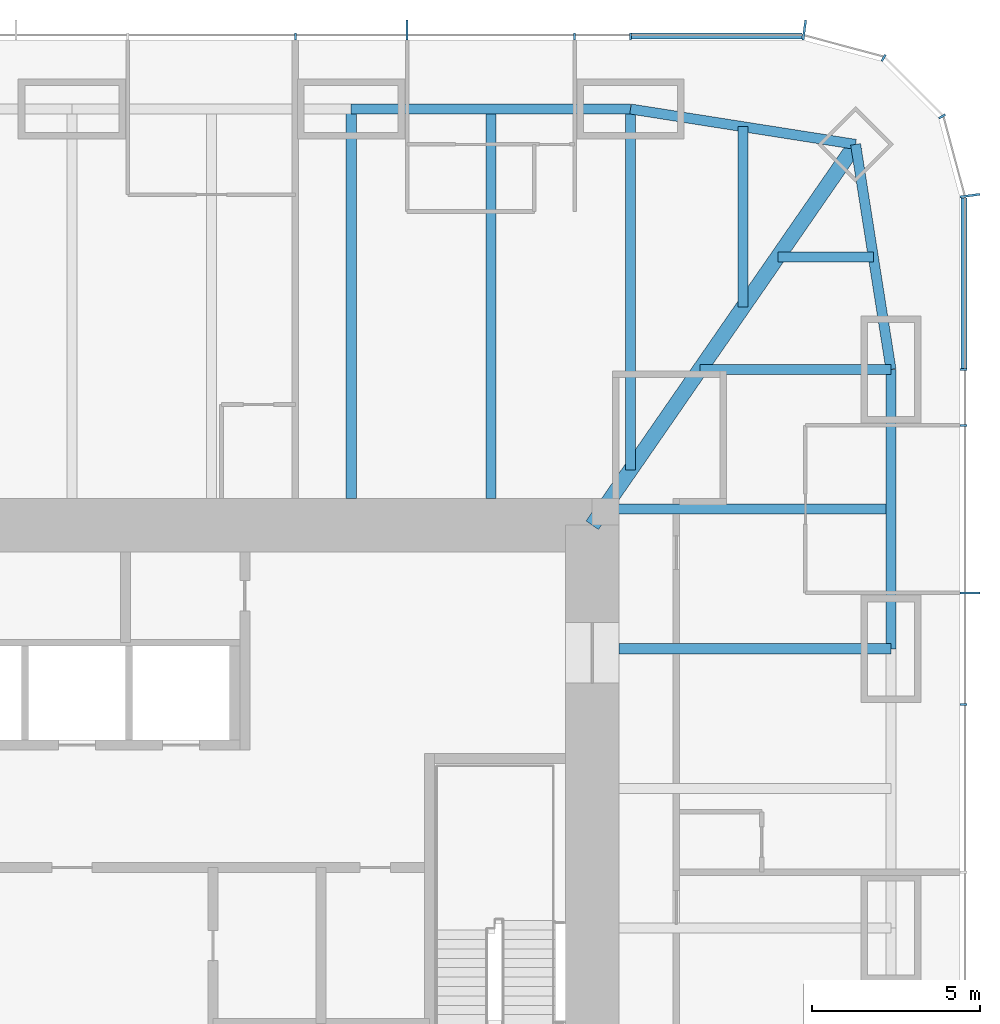
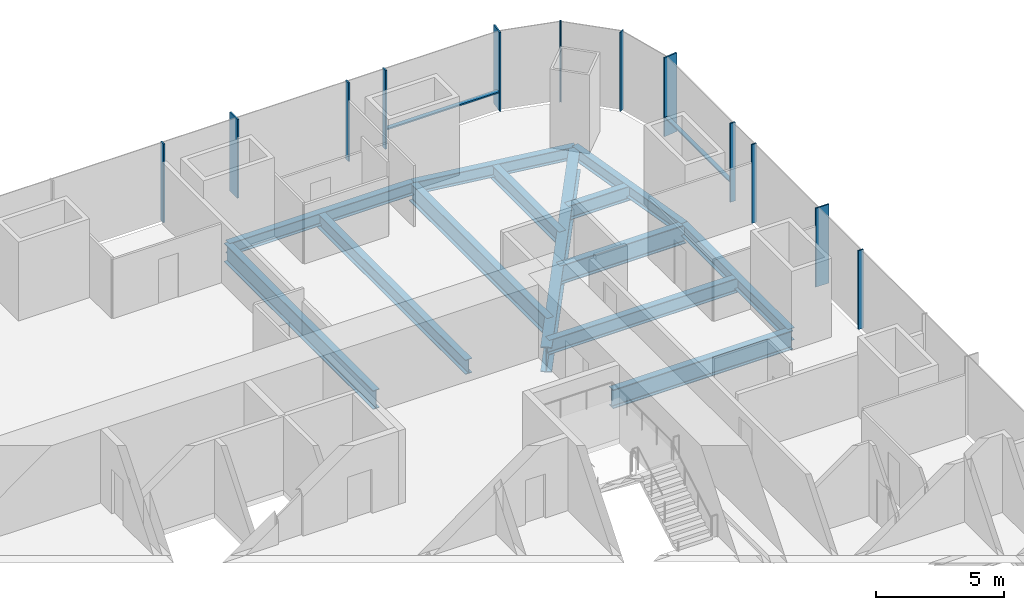
# One storey, part 6 of 12: 14 members, 13 beams, 3 elements without a shape of their own.
"""IFC4 building model written with IfcOpenShell, lengths in metres."""

from ifc_helpers import new_model, si_unit, direction, frame, origin, origin_2d, place, context, subcontext, project, spatial, rectangle, i_section, extrude, material, material_profile, profile_set, type_object, element, aggregate, save


model = new_model("IFC4")

# Units and contexts
model_context = context("Model", 3, precision=1e-05, world=origin(), true_north=direction((0.0, 1.0)))
body_context = subcontext(model_context, "Body", "Model", "MODEL_VIEW")
ifc_project = project(units=[si_unit("LENGTHUNIT", "METRE"), si_unit("AREAUNIT", "SQUARE_METRE"), si_unit("VOLUMEUNIT", "CUBIC_METRE"), si_unit("PLANEANGLEUNIT", "RADIAN"), si_unit("MASSUNIT", "GRAM", prefix="KILO")], contexts=[model_context])

# Site, building, storey
site_placement = place(None, origin())
site = spatial("IfcSite", under=ifc_project, at=site_placement, CompositionType="ELEMENT")
building_placement = place(site_placement, origin())
building = spatial("IfcBuilding", under=site, at=building_placement, Name="Khuree Lantern Residences", CompositionType="ELEMENT")
storey_placement = place(building_placement, frame((0.0, 0.0, 210.75)))
storey = spatial("IfcBuildingStorey", under=building, at=storey_placement, Name="L52", CompositionType="ELEMENT", Elevation=210.75)

# Beams
ifc_material_1 = material(Name="Steel S355", Category="steel")
ifc_material_profile_1 = material_profile(ifc_material_1, i_section(OverallWidth=0.300048828125, OverallDepth=0.68994140625, WebThickness=0.014404296875, FlangeThickness=0.027099609375, FilletRadius=0.027099609375, at=origin_2d()), Name="HE 700 A")
ifc_profile_set_1 = profile_set([ifc_material_profile_1], Name="Steel S355")
beam_type_1 = type_object("IfcBeamType", Name="B-31 SECONDARY BEAM HE 700 A", PredefinedType="BEAM", material=ifc_profile_set_1)
beam_1_placement = place(storey_placement, frame((12.47998046875, 24.39990234375, -0.594970703125), z_axis=(0.0, -1.0, 0.0), x_axis=(1.0, 0.0, 0.0)))
element("IfcBeam", 1, at=beam_1_placement, inside=storey, type_object=beam_type_1, Name="Secondary beam N4", PredefinedType="BEAM", context=body_context, shape_type="SweptSolid", body=[
    extrude(i_section(OverallWidth=0.300048828125, OverallDepth=0.68994140625, WebThickness=0.014404296875, FlangeThickness=0.027099609375, FilletRadius=0.027099609375, at=origin_2d()), origin(), (0.0, 0.0, 1.0), 11.599853515625),
])
beam_2_placement = place(storey_placement, frame((19.992919921875, 23.872802734375, -0.594970703125), z_axis=(0.0, -1.0, 0.0), x_axis=(1.0, 0.0, 0.0)))
element("IfcBeam", 2, at=beam_2_placement, inside=storey, type_object=beam_type_1, Name="Secondary beam N5", PredefinedType="BEAM", context=body_context, shape_type="SweptSolid", body=[
    extrude(i_section(OverallWidth=0.300048828125, OverallDepth=0.68994140625, WebThickness=0.014404296875, FlangeThickness=0.027099609375, FilletRadius=0.027099609375, at=origin_2d()), origin(), (0.0, 0.0, 1.0), 5.375732421875),
])
beam_3_placement = place(storey_placement, frame((23.872802734375, 19.992919921875, -0.594970703125), z_axis=(-1.0, 0.0, 0.0), x_axis=(0.0, -1.0, 0.0)))
element("IfcBeam", 3, at=beam_3_placement, inside=storey, type_object=beam_type_1, Name="Secondary beam E1", PredefinedType="BEAM", context=body_context, shape_type="SweptSolid", body=[
    extrude(i_section(OverallWidth=0.300048828125, OverallDepth=0.68994140625, WebThickness=0.014404296875, FlangeThickness=0.027099609375, FilletRadius=0.027099609375, at=origin_2d()), origin(), (0.0, 0.0, 1.0), 2.845703125),
])
beam_4_placement = place(storey_placement, frame((24.39990234375, 12.47998046875, -0.594970703125), z_axis=(-1.0, 0.0, 0.0), x_axis=(0.0, -1.0, 0.0)))
element("IfcBeam", 4, at=beam_4_placement, inside=storey, type_object=beam_type_1, Name="Secondary beam E2", PredefinedType="BEAM", context=body_context, shape_type="SweptSolid", body=[
    extrude(i_section(OverallWidth=0.300048828125, OverallDepth=0.68994140625, WebThickness=0.014404296875, FlangeThickness=0.027099609375, FilletRadius=0.027099609375, at=origin_2d()), origin(), (0.0, 0.0, 1.0), 8.56787109375),
])
ifc_material_profile_2 = material_profile(ifc_material_1, i_section(OverallWidth=0.300048828125, OverallDepth=0.590087890625, WebThickness=0.012939453125, FlangeThickness=0.02490234375, FilletRadius=0.027099609375, at=origin_2d()), Name="HE 600 A")
ifc_profile_set_2 = profile_set([ifc_material_profile_2], Name="Steel S355")
beam_type_2 = type_object("IfcBeamType", Name="E-31 SPANDREL BEAM HE 600 A", PredefinedType="SPANDREL", material=ifc_profile_set_2)
beam_5_placement = place(storey_placement, frame((8.320068359375, 24.39990234375, -0.544921875), z_axis=(1.0, 0.0, 0.0), x_axis=(0.0, 1.0, 0.0)))
element("IfcBeam", 5, at=beam_5_placement, inside=storey, type_object=beam_type_2, Name="Spandrel beam N4", PredefinedType="SPANDREL", context=body_context, shape_type="SweptSolid", body=[
    extrude(i_section(OverallWidth=0.300048828125, OverallDepth=0.590087890625, WebThickness=0.012939453125, FlangeThickness=0.02490234375, FilletRadius=0.027099609375, at=origin_2d()), origin(), (0.0, 0.0, 1.0), 8.31982421875),
])
for number, where, z_axis, x_axis, name in (
    (6, (16.639892578125, 24.39990234375, -0.544921875), (0.98786743189, -0.155299507442, 0.0), (0.155299507442, 0.98786743189, 0.0), "Spandrel beam N5"),
    (7, (23.345703125, 23.345703125, -0.544921875), (0.155299507442, -0.98786743189, 0.0), (0.98786743189, 0.155299507442, 0.0), "Spandrel beam E1"),
):
    element("IfcBeam", number, at=place(storey_placement, frame(where, z_axis=z_axis, x_axis=x_axis)), inside=storey, type_object=beam_type_2, Name=name, PredefinedType="SPANDREL", context=body_context, shape_type="SweptSolid", body=[
        extrude(i_section(OverallWidth=0.300048828125, OverallDepth=0.590087890625, WebThickness=0.012939453125, FlangeThickness=0.02490234375, FilletRadius=0.027099609375, at=origin_2d()), origin(), (0.0, 0.0, 1.0), 6.7880859375),
    ])
beam_6_placement = place(storey_placement, frame((24.39990234375, 16.639892578125, -0.544921875), z_axis=(0.0, -1.0, 0.0), x_axis=(1.0, 0.0, 0.0)))
element("IfcBeam", 8, at=beam_6_placement, inside=storey, type_object=beam_type_2, Name="Spandrel beam E2", PredefinedType="SPANDREL", context=body_context, shape_type="SweptSolid", body=[
    extrude(i_section(OverallWidth=0.300048828125, OverallDepth=0.590087890625, WebThickness=0.012939453125, FlangeThickness=0.02490234375, FilletRadius=0.027099609375, at=origin_2d()), origin(), (0.0, 0.0, 1.0), 8.31982421875),
])

# Curtain wall, member
ifc_material_2 = material(Name="Bronze anodised aluminium", Category="aluminium")
curtain_wall_type_1 = type_object("IfcCurtainWallType", Name="CW-T1 TOWER FACE CURTAIN WALL", PredefinedType="USERDEFINED", material=ifc_material_2)
curtain_wall_1_placement = place(storey_placement, origin())
curtain_wall_1 = element("IfcCurtainWall", 9, at=curtain_wall_1_placement, inside=storey, type_object=curtain_wall_type_1, Name="L52 EAST FACE CURTAIN WALL", ObjectType="Stick-built curtain wall", PredefinedType="USERDEFINED")
ifc_material_profile_3 = material_profile(ifc_material_2, rectangle(XDim=0.06494140625, YDim=0.60009765625, at=origin_2d()), Name="F1 65X600")
ifc_profile_set_3 = profile_set([ifc_material_profile_3], Name="Bronze anodised aluminium")
member_type_1 = type_object("IfcMemberType", Name="F1 BRONZE FIN MULLION TOWER 65X600", PredefinedType="MULLION", material=ifc_profile_set_3)
member_1_placement = place(storey_placement, frame((26.75, 9.98388671875, 0.0), z_axis=(0.0, 0.0, 1.0), x_axis=(0.0, 1.0, 0.0)))
member_1 = element("IfcMember", 10, at=member_1_placement, type_object=member_type_1, Name="L52 EAST FACE FIN MULLION 12", PredefinedType="MULLION", context=body_context, shape_type="SweptSolid", body=[
    extrude(rectangle(XDim=0.06494140625, YDim=0.60009765625, at=origin_2d()), origin(), (0.0, 0.0, 1.0), 3.75),
])

curtain_wall_type_2 = type_object("IfcCurtainWallType", Name="CW-T2 TOWER CORNER CURTAIN WALL", PredefinedType="USERDEFINED", material=ifc_material_2)
curtain_wall_2_placement = place(storey_placement, origin())
curtain_wall_2 = element("IfcCurtainWall", 11, at=curtain_wall_2_placement, inside=storey, type_object=curtain_wall_type_2, Name="L52 NORTH-EAST CORNER CURTAIN WALL", ObjectType="Faceted corner curtain wall", PredefinedType="USERDEFINED")
member_2_placement = place(storey_placement, frame((26.75, 21.81982421875, 0.0), z_axis=(0.0, 0.0, 1.0), x_axis=(-0.130526180298, 0.991444862943, 0.0)))
member_2 = element("IfcMember", 12, at=member_2_placement, type_object=member_type_1, Name="L52 NORTH-EAST CORNER FIN MULLION 15", PredefinedType="MULLION", context=body_context, shape_type="SweptSolid", body=[
    extrude(rectangle(XDim=0.06494140625, YDim=0.60009765625, at=origin_2d()), origin(), (0.0, 0.0, 1.0), 3.75),
])

# Curtain wall, members
curtain_wall_3_placement = place(storey_placement, origin())
curtain_wall_3 = element("IfcCurtainWall", 13, at=curtain_wall_3_placement, inside=storey, type_object=curtain_wall_type_1, Name="L52 NORTH FACE CURTAIN WALL", ObjectType="Stick-built curtain wall", PredefinedType="USERDEFINED")
member_3_placement = place(storey_placement, frame((21.81982421875, 26.75, 0.0), z_axis=(0.0, 0.0, 1.0), x_axis=(-0.991444862943, 0.130526180298, 0.0)))
member_3 = element("IfcMember", 14, at=member_3_placement, type_object=member_type_1, Name="L52 NORTH FACE FIN MULLION 18", PredefinedType="MULLION", context=body_context, shape_type="SweptSolid", body=[
    extrude(rectangle(XDim=0.06494140625, YDim=0.60009765625, at=origin_2d()), origin(), (0.0, 0.0, 1.0), 3.75),
])
member_4_placement = place(storey_placement, frame((9.98388671875, 26.75, 0.0), z_axis=(0.0, 0.0, 1.0), x_axis=(-1.0, 0.0, 0.0)))
member_4 = element("IfcMember", 15, at=member_4_placement, type_object=member_type_1, Name="L52 NORTH FACE FIN MULLION 21", PredefinedType="MULLION", context=body_context, shape_type="SweptSolid", body=[
    extrude(rectangle(XDim=0.06494140625, YDim=0.60009765625, at=origin_2d()), origin(), (0.0, 0.0, 1.0), 3.75),
])

# Beams
ifc_material_profile_4 = material_profile(ifc_material_1, i_section(OverallWidth=0.300048828125, OverallDepth=0.89990234375, WebThickness=0.0185546875, FlangeThickness=0.034912109375, FilletRadius=0.030029296875, at=origin_2d()), Name="HE 900 B")
ifc_profile_set_4 = profile_set([ifc_material_profile_4], Name="Steel S355")
beam_type_3 = type_object("IfcBeamType", Name="G-31A GIRDER HE 900 B", PredefinedType="BEAM", material=ifc_profile_set_4)
beam_7_placement = place(storey_placement, frame((8.320068359375, 24.39990234375, -0.699951171875), z_axis=(0.0, -1.0, 0.0), x_axis=(1.0, 0.0, 0.0)))
element("IfcBeam", 16, at=beam_7_placement, inside=storey, type_object=beam_type_3, Name="Girder N4", PredefinedType="BEAM", context=body_context, shape_type="SweptSolid", body=[
    extrude(i_section(OverallWidth=0.300048828125, OverallDepth=0.89990234375, WebThickness=0.0185546875, FlangeThickness=0.034912109375, FilletRadius=0.030029296875, at=origin_2d()), origin(), (0.0, 0.0, 1.0), 11.599853515625),
])
beam_8_placement = place(storey_placement, frame((16.639892578125, 24.39990234375, -0.699951171875), z_axis=(0.0, -1.0, 0.0), x_axis=(1.0, 0.0, 0.0)))
element("IfcBeam", 17, at=beam_8_placement, inside=storey, type_object=beam_type_3, Name="Girder N5", PredefinedType="BEAM", context=body_context, shape_type="SweptSolid", body=[
    extrude(i_section(OverallWidth=0.300048828125, OverallDepth=0.89990234375, WebThickness=0.0185546875, FlangeThickness=0.034912109375, FilletRadius=0.030029296875, at=origin_2d()), origin(), (0.0, 0.0, 1.0), 10.751220703125),
])
beam_9_placement = place(storey_placement, frame((24.39990234375, 16.639892578125, -0.699951171875), z_axis=(-1.0, 0.0, 0.0), x_axis=(0.0, -1.0, 0.0)))
element("IfcBeam", 18, at=beam_9_placement, inside=storey, type_object=beam_type_3, Name="Girder E1", PredefinedType="BEAM", context=body_context, shape_type="SweptSolid", body=[
    extrude(i_section(OverallWidth=0.300048828125, OverallDepth=0.89990234375, WebThickness=0.0185546875, FlangeThickness=0.034912109375, FilletRadius=0.030029296875, at=origin_2d()), origin(), (0.0, 0.0, 1.0), 5.69140625),
])
beam_10_placement = place(storey_placement, frame((24.39990234375, 8.320068359375, -0.699951171875), z_axis=(-1.0, 0.0, 0.0), x_axis=(0.0, -1.0, 0.0)))
element("IfcBeam", 19, at=beam_10_placement, inside=storey, type_object=beam_type_3, Name="Girder E2", PredefinedType="BEAM", context=body_context, shape_type="SweptSolid", body=[
    extrude(i_section(OverallWidth=0.300048828125, OverallDepth=0.89990234375, WebThickness=0.0185546875, FlangeThickness=0.034912109375, FilletRadius=0.030029296875, at=origin_2d()), origin(), (0.0, 0.0, 1.0), 8.099853515625),
])
ifc_material_profile_5 = material_profile(ifc_material_1, i_section(OverallWidth=0.449951171875, OverallDepth=1.199951171875, WebThickness=0.02490234375, FlangeThickness=0.044921875, at=origin_2d()), Name="WELDED I 1200X450X25X45")
ifc_profile_set_5 = profile_set([ifc_material_profile_5], Name="Steel S355")
beam_type_4 = type_object("IfcBeamType", Name="GD-31 CORNER GIRDER WELDED I 1200X450X25X45", PredefinedType="BEAM", material=ifc_profile_set_5)
beam_11_placement = place(storey_placement, frame((23.345703125, 23.345703125, -0.85009765625), z_axis=(-0.56876813501, -0.822497907959, 0.0), x_axis=(0.822497907959, -0.56876813501, 0.0)))
element("IfcBeam", 20, at=beam_11_placement, inside=storey, type_object=beam_type_4, Name="Corner girder NE", PredefinedType="BEAM", context=body_context, shape_type="SweptSolid", body=[
    extrude(i_section(OverallWidth=0.449951171875, OverallDepth=1.199951171875, WebThickness=0.02490234375, FlangeThickness=0.044921875, at=origin_2d()), origin(), (0.0, 0.0, 1.0), 13.794189453125),
])

# Member
ifc_material_profile_6 = material_profile(ifc_material_2, rectangle(XDim=0.06494140625, YDim=0.219970703125, at=origin_2d()), Name="M1 65X220")
ifc_profile_set_6 = profile_set([ifc_material_profile_6], Name="Bronze anodised aluminium")
member_type_2 = type_object("IfcMemberType", Name="M1 BRONZE MULLION TOWER 65X220", PredefinedType="MULLION", material=ifc_profile_set_6)
member_5_placement = place(storey_placement, frame((26.56005859375, 6.656005859375, 0.0), z_axis=(0.0, 0.0, 1.0), x_axis=(0.0, 1.0, 0.0)))
member_5 = element("IfcMember", 21, at=member_5_placement, type_object=member_type_2, Name="L52 EAST FACE MULLION 11", PredefinedType="MULLION", context=body_context, shape_type="SweptSolid", body=[
    extrude(rectangle(XDim=0.06494140625, YDim=0.219970703125, at=origin_2d()), origin(), (0.0, 0.0, 1.0), 3.75),
])

member_6_placement = place(storey_placement, frame((26.56005859375, 14.97607421875, 0.0), z_axis=(0.0, 0.0, 1.0), x_axis=(0.0, 1.0, 0.0)))
member_6 = element("IfcMember", 22, at=member_6_placement, type_object=member_type_2, Name="L52 EAST FACE MULLION 13", PredefinedType="MULLION", context=body_context, shape_type="SweptSolid", body=[
    extrude(rectangle(XDim=0.06494140625, YDim=0.219970703125, at=origin_2d()), origin(), (0.0, 0.0, 1.0), 3.75),
])

member_7_placement = place(storey_placement, frame((26.56005859375, 16.639892578125, 0.0), z_axis=(0.0, 0.0, 1.0), x_axis=(0.0, 1.0, 0.0)))
member_7 = element("IfcMember", 23, at=member_7_placement, type_object=member_type_2, Name="L52 EAST FACE MULLION 14", PredefinedType="MULLION", context=body_context, shape_type="SweptSolid", body=[
    extrude(rectangle(XDim=0.06494140625, YDim=0.219970703125, at=origin_2d()), origin(), (0.0, 0.0, 1.0), 3.75),
])

member_8_placement = place(storey_placement, frame((25.92236328125, 24.179931640625, 0.0), z_axis=(0.0, 0.0, 1.0), x_axis=(-0.499999989586, 0.866025409797, 0.0)))
member_8 = element("IfcMember", 24, at=member_8_placement, type_object=member_type_2, Name="L52 NORTH-EAST CORNER MULLION 16", PredefinedType="MULLION", context=body_context, shape_type="SweptSolid", body=[
    extrude(rectangle(XDim=0.06494140625, YDim=0.219970703125, at=origin_2d()), origin(), (0.0, 0.0, 1.0), 3.75),
])

member_9_placement = place(storey_placement, frame((24.179931640625, 25.92236328125, 0.0), z_axis=(0.0, 0.0, 1.0), x_axis=(-0.866025409797, 0.499999989586, 0.0)))
member_9 = element("IfcMember", 25, at=member_9_placement, type_object=member_type_2, Name="L52 NORTH-EAST CORNER MULLION 17", PredefinedType="MULLION", context=body_context, shape_type="SweptSolid", body=[
    extrude(rectangle(XDim=0.06494140625, YDim=0.219970703125, at=origin_2d()), origin(), (0.0, 0.0, 1.0), 3.75),
])

aggregate(curtain_wall_2, [member_2, member_8, member_9])

member_10_placement = place(storey_placement, frame((16.639892578125, 26.56005859375, 0.0), z_axis=(0.0, 0.0, 1.0), x_axis=(-1.0, 0.0, 0.0)))
member_10 = element("IfcMember", 26, at=member_10_placement, type_object=member_type_2, Name="L52 NORTH FACE MULLION 19", PredefinedType="MULLION", context=body_context, shape_type="SweptSolid", body=[
    extrude(rectangle(XDim=0.06494140625, YDim=0.219970703125, at=origin_2d()), origin(), (0.0, 0.0, 1.0), 3.75),
])

member_11_placement = place(storey_placement, frame((14.97607421875, 26.56005859375, 0.0), z_axis=(0.0, 0.0, 1.0), x_axis=(-1.0, 0.0, 0.0)))
member_11 = element("IfcMember", 27, at=member_11_placement, type_object=member_type_2, Name="L52 NORTH FACE MULLION 20", PredefinedType="MULLION", context=body_context, shape_type="SweptSolid", body=[
    extrude(rectangle(XDim=0.06494140625, YDim=0.219970703125, at=origin_2d()), origin(), (0.0, 0.0, 1.0), 3.75),
])

member_12_placement = place(storey_placement, frame((6.656005859375, 26.56005859375, 0.0), z_axis=(0.0, 0.0, 1.0), x_axis=(-1.0, 0.0, 0.0)))
member_12 = element("IfcMember", 28, at=member_12_placement, type_object=member_type_2, Name="L52 NORTH FACE MULLION 22", PredefinedType="MULLION", context=body_context, shape_type="SweptSolid", body=[
    extrude(rectangle(XDim=0.06494140625, YDim=0.219970703125, at=origin_2d()), origin(), (0.0, 0.0, 1.0), 3.75),
])

ifc_material_profile_7 = material_profile(ifc_material_2, rectangle(XDim=0.179931640625, YDim=0.06494140625, at=origin_2d()), Name="T1 180X65")
ifc_profile_set_7 = profile_set([ifc_material_profile_7], Name="Bronze anodised aluminium")
member_type_3 = type_object("IfcMemberType", Name="TRANSOM T1 TOWER 180X65", PredefinedType="USERDEFINED", material=ifc_profile_set_7)
member_13_placement = place(storey_placement, frame((26.570068359375, 16.672607421875, 0.89990234375), z_axis=(0.0, 1.0, 0.0), x_axis=(-1.0, 0.0, 0.0)))
member_13 = element("IfcMember", 29, at=member_13_placement, type_object=member_type_3, Name="L52 EAST FACE TRANSOM 14.1", ObjectType="Transom", PredefinedType="USERDEFINED", context=body_context, shape_type="SweptSolid", body=[
    extrude(rectangle(XDim=0.179931640625, YDim=0.06494140625, at=origin_2d()), origin(), (0.0, 0.0, 1.0), 5.078857421875),
])

aggregate(curtain_wall_1, [member_5, member_1, member_6, member_7, member_13])

member_14_placement = place(storey_placement, frame((21.75146484375, 26.570068359375, 0.89990234375), z_axis=(-1.0, 0.0, 0.0), x_axis=(0.0, -1.0, 0.0)))
member_14 = element("IfcMember", 30, at=member_14_placement, type_object=member_type_3, Name="L52 NORTH FACE TRANSOM 18.1", ObjectType="Transom", PredefinedType="USERDEFINED", context=body_context, shape_type="SweptSolid", body=[
    extrude(rectangle(XDim=0.179931640625, YDim=0.06494140625, at=origin_2d()), origin(), (0.0, 0.0, 1.0), 5.078857421875),
])

aggregate(curtain_wall_3, [member_3, member_10, member_11, member_4, member_12, member_14])

save(model, "model.ifc")
